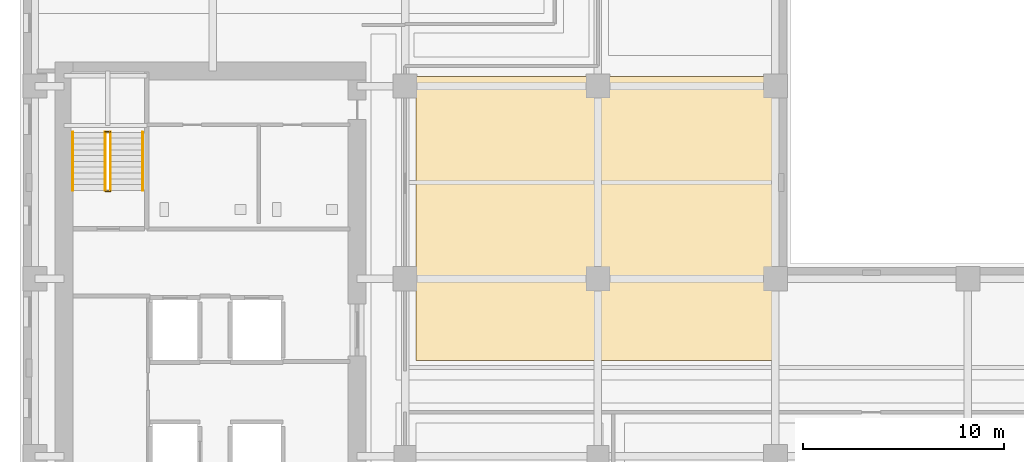
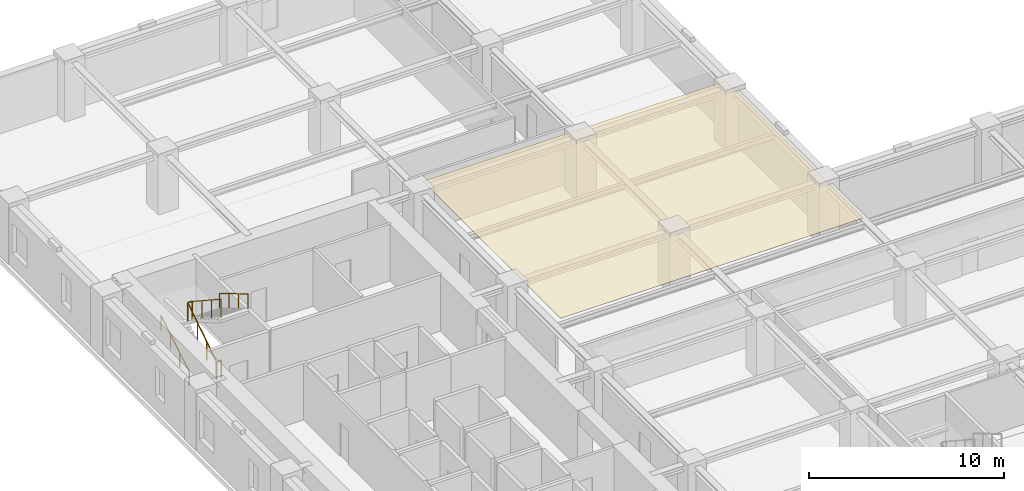
# One storey, part 11 of 13: 6 railings, 1 covering.
"""IFC4 building model written with IfcOpenShell, lengths in metres."""

from ifc_helpers import new_model, si_unit, direction, frame, origin, origin_2d, place, context, subcontext, project, spatial, polyline, circle, outline, extrude, material, layer, layer_set, type_object, element, save


model = new_model("IFC4")

# Units and contexts
model_context = context("Model", 3, precision=1e-05, world=origin(), true_north=direction((0.0, 1.0)))
body_context = subcontext(model_context, "Body", "Model", "MODEL_VIEW")
ifc_project = project(units=[si_unit("LENGTHUNIT", "METRE"), si_unit("AREAUNIT", "SQUARE_METRE"), si_unit("VOLUMEUNIT", "CUBIC_METRE"), si_unit("PLANEANGLEUNIT", "RADIAN"), si_unit("MASSUNIT", "GRAM", prefix="KILO")], contexts=[model_context])

# Site, building, storey
site_placement = place(None, origin())
site = spatial("IfcSite", under=ifc_project, at=site_placement, CompositionType="ELEMENT")
building_placement = place(site_placement, origin())
building = spatial("IfcBuilding", under=site, at=building_placement, Name="Norrvale University Quadrangle", CompositionType="ELEMENT")
storey_placement = place(building_placement, frame((0.0, 0.0, 47.0)))
storey = spatial("IfcBuildingStorey", under=building, at=storey_placement, Name="L11", CompositionType="ELEMENT", Elevation=47.0)

# Covering
ifc_material_1 = material(Name="Perforated Acoustic Mineral Ceiling")
ifc_layer = layer(ifc_material_1, 0.02490234375, Name="Perforated Acoustic Mineral Ceiling")
ifc_layer_set = layer_set([ifc_layer], Name="Perforated Acoustic Mineral Ceiling")
covering_type = type_object("IfcCoveringType", Name="Covering Acoustic Ceiling 25", PredefinedType="CEILING", material=ifc_layer_set)
covering_placement = place(storey_placement, frame((0.0, 0.0, 3.514892578125)))
element("IfcCovering", 1, at=covering_placement, inside=storey, type_object=covering_type, Name="Acoustic Ceiling RM-L11-MNE01", PredefinedType="CEILING", context=body_context, shape_type="SweptSolid", body=[
    extrude(outline(polyline([(19.72998046875, 47.719970703125), (37.64990234375, 47.719970703125), (37.64990234375, 33.580078125), (19.72998046875, 33.580078125), (19.72998046875, 47.719970703125)])), origin(), (0.0, 0.0, 1.0), 0.025146484375),
])

# Railings
ifc_material_2 = material(Name="Steel 350W Painted Balustrade", Category="steel")
railing_type_1 = type_object("IfcRailingType", Name="Railing Stair Guard 1100", PredefinedType="GUARDRAIL", material=ifc_material_2)
for number, where, name in (
    (2, (4.239990234375, 42.02001953125, 0.0), "Stair Floor Well Guard ST-02 L11"),
    (3, (4.239990234375, 44.97998046875, 1.89990234375), "Stair Mid-Landing Slot Guard ST-02 L11"),
):
    element("IfcRailing", number, at=place(storey_placement, frame(where)), inside=storey, type_object=railing_type_1, Name=name, PredefinedType="GUARDRAIL", context=body_context, shape_type="SweptSolid", body=[
        extrude(circle(Radius=0.02392578125, at=origin_2d()), frame((0.0, 0.0, 1.1259765625), z_axis=(1.0, 0.0, 0.0), x_axis=(0.0, 1.0, 0.0)), (0.0, 0.0, 1.0), 0.27001953125),
        extrude(circle(Radius=0.02099609375, at=origin_2d()), origin(), (0.0, 0.0, 1.0), 1.101806640625),
        extrude(circle(Radius=0.02099609375, at=origin_2d()), frame((0.27001953125, 0.0, 0.0)), (0.0, 0.0, 1.0), 1.101806640625),
    ])
railing_1_placement = place(storey_placement, frame((4.239990234375, 42.050048828125, 0.0)))
element("IfcRailing", 4, at=railing_1_placement, inside=storey, type_object=railing_type_1, Name="Stair Lower Flight Inner Guard ST-02 L11", PredefinedType="GUARDRAIL", context=body_context, shape_type="SweptSolid", body=[
    extrude(circle(Radius=0.02392578125, at=origin_2d()), frame((0.0, 0.0, 1.1259765625), z_axis=(0.0, 0.836465582154, 0.548019461216), x_axis=(-1.0, 0.0, 0.0)), (0.0, 0.0, 1.0), 3.466796875),
    extrude(circle(Radius=0.02099609375, at=origin_2d()), origin(), (0.0, 0.0, 1.0), 1.101806640625),
    extrude(circle(Radius=0.02099609375, at=origin_2d()), frame((0.0, 0.966552734375, 0.63330078125)), (0.0, 0.0, 1.0), 1.101806640625),
    extrude(circle(Radius=0.02099609375, at=origin_2d()), frame((0.0, 1.933349609375, 1.2666015625)), (0.0, 0.0, 1.0), 1.101806640625),
    extrude(circle(Radius=0.02099609375, at=origin_2d()), frame((0.0, 2.89990234375, 1.89990234375)), (0.0, 0.0, 1.0), 1.101806640625),
])
railing_2_placement = place(storey_placement, frame((4.510009765625, 44.949951171875, 1.89990234375)))
element("IfcRailing", 5, at=railing_2_placement, inside=storey, type_object=railing_type_1, Name="Stair Upper Flight Inner Guard ST-02 L11", PredefinedType="GUARDRAIL", context=body_context, shape_type="SweptSolid", body=[
    extrude(circle(Radius=0.02392578125, at=origin_2d()), frame((0.0, 0.0, 1.1259765625), z_axis=(0.0, -0.836433300813, 0.548068730445), x_axis=(1.0, 0.0, 0.0)), (0.0, 0.0, 1.0), 3.467041015625),
    extrude(circle(Radius=0.02099609375, at=origin_2d()), origin(), (0.0, 0.0, 1.0), 1.101806640625),
    extrude(circle(Radius=0.02099609375, at=origin_2d()), frame((0.0, -0.966552734375, 0.63330078125)), (0.0, 0.0, 1.0), 1.101806640625),
    extrude(circle(Radius=0.02099609375, at=origin_2d()), frame((0.0, -1.933349609375, 1.266845703125)), (0.0, 0.0, 1.0), 1.101806640625),
    extrude(circle(Radius=0.02099609375, at=origin_2d()), frame((0.0, -2.89990234375, 1.900146484375)), (0.0, 0.0, 1.0), 1.101806640625),
])
ifc_material_3 = material(Name="Stainless Steel 316L Handrail", Category="steel")
railing_type_2 = type_object("IfcRailingType", Name="Railing Stair Handrail 920", PredefinedType="HANDRAIL", material=ifc_material_3)
railing_3_placement = place(storey_placement, frame((2.639892578125, 42.050048828125, 0.172607421875)))
element("IfcRailing", 6, at=railing_3_placement, inside=storey, type_object=railing_type_2, Name="Stair Lower Flight Handrail ST-02 L11", PredefinedType="HANDRAIL", context=body_context, shape_type="SweptSolid", body=[
    extrude(circle(Radius=0.02392578125, at=origin_2d()), frame((0.0, 0.0, 0.89599609375), z_axis=(0.0, 0.859141464434, 0.511738159696), x_axis=(-1.0, 0.0, 0.0)), (0.0, 0.0, 1.0), 3.375244140625),
    extrude(circle(Radius=0.02099609375, at=origin_2d()), origin(), (0.0, 0.0, 1.0), 0.871826171875),
    extrude(circle(Radius=0.02099609375, at=origin_2d()), frame((0.0, 0.966552734375, 0.57568359375)), (0.0, 0.0, 1.0), 0.871826171875),
    extrude(circle(Radius=0.02099609375, at=origin_2d()), frame((0.0, 1.933349609375, 1.151611328125)), (0.0, 0.0, 1.0), 0.871826171875),
    extrude(circle(Radius=0.02099609375, at=origin_2d()), frame((0.0, 2.89990234375, 1.727294921875)), (0.0, 0.0, 1.0), 0.871826171875),
])
railing_4_placement = place(storey_placement, frame((6.110107421875, 44.949951171875, 2.07275390625)))
element("IfcRailing", 7, at=railing_4_placement, inside=storey, type_object=railing_type_2, Name="Stair Upper Flight Handrail ST-02 L11", PredefinedType="HANDRAIL", context=body_context, shape_type="SweptSolid", body=[
    extrude(circle(Radius=0.02392578125, at=origin_2d()), frame((0.0, 0.0, 0.89599609375), z_axis=(0.0, -0.859141464434, 0.511738159696), x_axis=(1.0, 0.0, 0.0)), (0.0, 0.0, 1.0), 3.375244140625),
    extrude(circle(Radius=0.02099609375, at=origin_2d()), origin(), (0.0, 0.0, 1.0), 0.871826171875),
    extrude(circle(Radius=0.02099609375, at=origin_2d()), frame((0.0, -0.966552734375, 0.57568359375)), (0.0, 0.0, 1.0), 0.871826171875),
    extrude(circle(Radius=0.02099609375, at=origin_2d()), frame((0.0, -1.933349609375, 1.151611328125)), (0.0, 0.0, 1.0), 0.871826171875),
    extrude(circle(Radius=0.02099609375, at=origin_2d()), frame((0.0, -2.89990234375, 1.727294921875)), (0.0, 0.0, 1.0), 0.871826171875),
])

save(model, "model.ifc")
